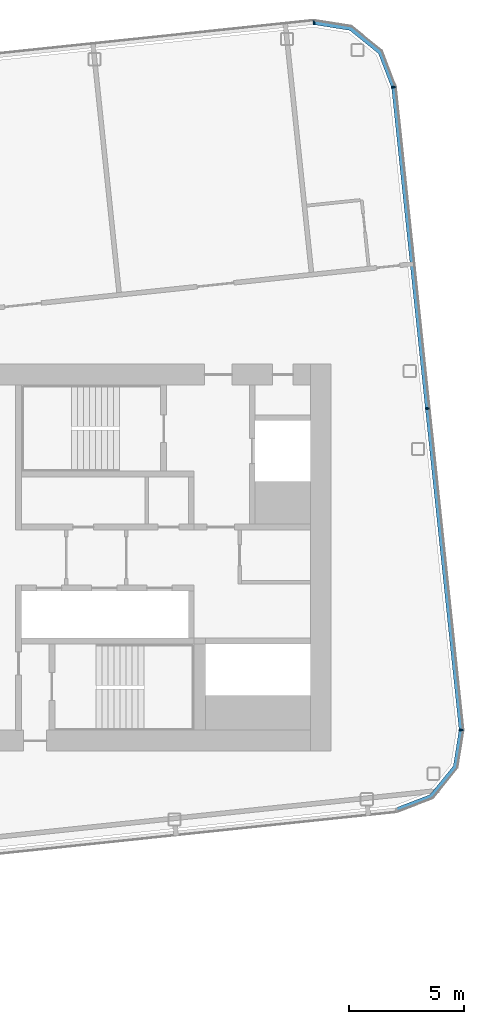
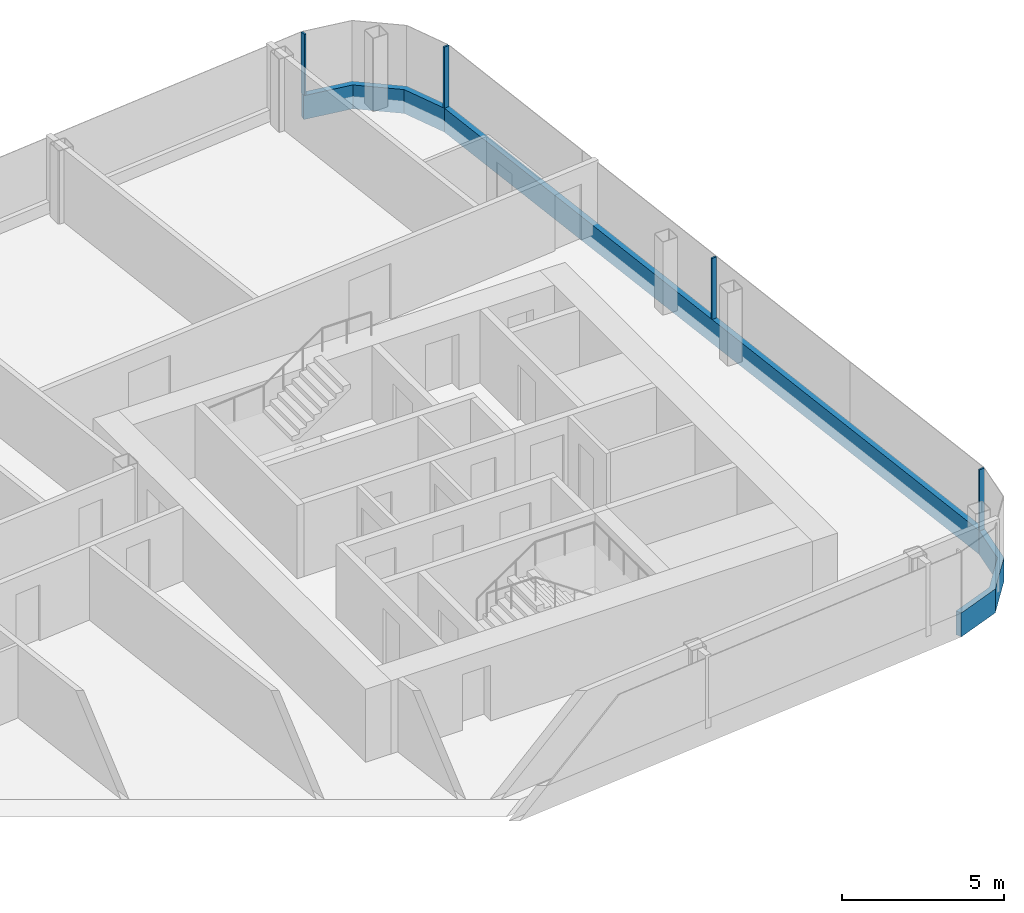
# One storey, part 12 of 27: 7 members, 4 elements without a shape of their own.
"""IFC4 building model written with IfcOpenShell, lengths in metres."""

from ifc_helpers import new_model, si_unit, direction, frame, origin, origin_2d, place, context, subcontext, project, spatial, polyline, rectangle, outline, extrude, material, layer, layer_set, material_profile, profile_set, type_object, element, aggregate, save


model = new_model("IFC4")

# Units and contexts
model_context = context("Model", 3, precision=1e-05, world=origin(), true_north=direction((0.0, 1.0)))
body_context = subcontext(model_context, "Body", "Model", "MODEL_VIEW")
ifc_project = project(units=[si_unit("LENGTHUNIT", "METRE"), si_unit("AREAUNIT", "SQUARE_METRE"), si_unit("VOLUMEUNIT", "CUBIC_METRE"), si_unit("PLANEANGLEUNIT", "RADIAN"), si_unit("MASSUNIT", "GRAM", prefix="KILO")], contexts=[model_context])

# Site, building, storey
site_placement = place(None, origin())
site = spatial("IfcSite", under=ifc_project, at=site_placement, CompositionType="ELEMENT")
building_placement = place(site_placement, origin())
building = spatial("IfcBuilding", under=site, at=building_placement, Name="Hakoniwa Tower and Hamabe Station Hall", CompositionType="ELEMENT")
storey_placement = place(building_placement, frame((0.0, 0.0, 261.39990234375)))
storey = spatial("IfcBuildingStorey", under=building, at=storey_placement, Name="L74", CompositionType="ELEMENT", Elevation=261.39990234375)

# Curtain wall, member
ifc_material_1 = material(Name="Dark low-e laminated glass", Category="glass")
ifc_layer = layer(ifc_material_1, 0.199951171875)
ifc_layer_set = layer_set([ifc_layer], Name="CW-1 UNITISED GUEST")
curtain_wall_type = type_object("IfcCurtainWallType", Name="CW-1 UNITISED GUEST", PredefinedType="NOTDEFINED", material=ifc_layer_set)
curtain_wall_1_placement = place(storey_placement, origin())
curtain_wall_1 = element("IfcCurtainWall", 1, at=curtain_wall_1_placement, inside=storey, type_object=curtain_wall_type, Name="CW-1 curtain wall", PredefinedType="NOTDEFINED")
ifc_material_2 = material(Name="Aluminium 6063-T5 black anodised", Category="aluminium")
ifc_material_profile_1 = material_profile(ifc_material_2, rectangle(XDim=0.199951171875, YDim=0.89990234375, at=origin_2d()), Name="CW SLAB-EDGE BAND 900X200")
ifc_profile_set_1 = profile_set([ifc_material_profile_1], Name="Aluminium 6063-T5 black anodised")
member_type_1 = type_object("IfcMemberType", Name="CW SLAB-EDGE BAND 900X200", PredefinedType="USERDEFINED", material=ifc_profile_set_1)
member_1_placement = place(storey_placement, frame((39.25927734375, -7.490478515625, -0.099853515625), z_axis=(-0.104529086463, 0.994521829868, 0.0), x_axis=(-0.994521829868, -0.104529086463, 0.0)))
member_1 = element("IfcMember", 2, at=member_1_placement, type_object=member_type_1, Name="CW-1 transom", ObjectType="TRANSOM", PredefinedType="USERDEFINED", context=body_context, shape_type="SweptSolid", body=[
    extrude(rectangle(XDim=0.199951171875, YDim=0.89990234375, at=origin_2d()), origin(), (0.0, 0.0, 1.0), 28.078857421875),
])

curtain_wall_2_placement = place(storey_placement, origin())
curtain_wall_2 = element("IfcCurtainWall", 3, at=curtain_wall_2_placement, inside=storey, type_object=curtain_wall_type, Name="CW-1 curtain wall", PredefinedType="NOTDEFINED")
member_2_placement = place(storey_placement, frame((0.0, 0.0, -0.5498046875)))
member_2 = element("IfcMember", 4, at=member_2_placement, type_object=member_type_1, Name="CW-1 transom", ObjectType="TRANSOM", PredefinedType="USERDEFINED", context=body_context, shape_type="SweptSolid", body=[
    extrude(outline(polyline([(36.423828125, 20.445068359375), (35.82421875, 22.0068359375), (34.492431640625, 23.085205078125), (32.84033203125, 23.346923828125), (32.80908203125, 23.1494140625), (34.408203125, 22.89599609375), (35.65673828125, 21.885009765625), (36.237060546875, 20.37353515625), (36.423828125, 20.445068359375)])), origin(), (0.0, 0.0, 1.0), 0.89990234375),
])
aggregate(curtain_wall_2, [member_2])

curtain_wall_3_placement = place(storey_placement, origin())
curtain_wall_3 = element("IfcCurtainWall", 5, at=curtain_wall_3_placement, inside=storey, type_object=curtain_wall_type, Name="CW-1 curtain wall", PredefinedType="NOTDEFINED")
member_3_placement = place(storey_placement, frame((0.0, 0.0, -0.5498046875)))
member_3 = element("IfcMember", 6, at=member_3_placement, type_object=member_type_1, Name="CW-1 transom", ObjectType="TRANSOM", PredefinedType="USERDEFINED", context=body_context, shape_type="SweptSolid", body=[
    extrude(outline(polyline([(36.45703125, -11.0634765625), (38.0185546875, -10.464111328125), (39.09716796875, -9.13232421875), (39.35888671875, -7.47998046875), (39.161376953125, -7.44873046875), (38.907958984375, -9.048095703125), (37.89697265625, -10.296630859375), (36.38525390625, -10.876708984375), (36.45703125, -11.0634765625)])), origin(), (0.0, 0.0, 1.0), 0.89990234375),
])
aggregate(curtain_wall_3, [member_3])

# Member
ifc_material_3 = material(Name="Aluminium 6063-T5 black anodised", Category="aluminium")
ifc_material_profile_2 = material_profile(ifc_material_3, rectangle(XDim=0.06005859375, YDim=0.179931640625, at=origin_2d()), Name="CW-1 MULLION 60X180")
ifc_profile_set_2 = profile_set([ifc_material_profile_2], Name="Aluminium 6063-T5 black anodised")
member_type_2 = type_object("IfcMemberType", Name="CW-1 MULLION 60X180", PredefinedType="MULLION", material=ifc_profile_set_2)
member_4_placement = place(storey_placement, frame((39.241455078125, -7.492431640625, 0.35009765625), z_axis=(0.0, 0.0, 1.0), x_axis=(-0.104528468631, 0.994521894805, 0.0)))
member_4 = element("IfcMember", 7, at=member_4_placement, type_object=member_type_2, Name="CW-1 mullion", PredefinedType="MULLION", context=body_context, shape_type="SweptSolid", body=[
    extrude(rectangle(XDim=0.06005859375, YDim=0.179931640625, at=origin_2d()), origin(), (0.0, 0.0, 1.0), 2.300048828125),
])

member_5_placement = place(storey_placement, frame((37.77392578125, 6.47021484375, 0.35009765625), z_axis=(0.0, 0.0, 1.0), x_axis=(-0.104528468631, 0.994521894805, 0.0)))
member_5 = element("IfcMember", 8, at=member_5_placement, type_object=member_type_2, Name="CW-1 mullion", PredefinedType="MULLION", context=body_context, shape_type="SweptSolid", body=[
    extrude(rectangle(XDim=0.06005859375, YDim=0.179931640625, at=origin_2d()), origin(), (0.0, 0.0, 1.0), 2.300048828125),
])

member_6_placement = place(storey_placement, frame((36.306396484375, 20.432861328125, 0.35009765625), z_axis=(0.0, 0.0, 1.0), x_axis=(-0.104528468631, 0.994521894805, 0.0)))
member_6 = element("IfcMember", 9, at=member_6_placement, type_object=member_type_2, Name="CW-1 mullion", PredefinedType="MULLION", context=body_context, shape_type="SweptSolid", body=[
    extrude(rectangle(XDim=0.06005859375, YDim=0.179931640625, at=origin_2d()), origin(), (0.0, 0.0, 1.0), 2.300048828125),
])

aggregate(curtain_wall_1, [member_4, member_5, member_6, member_1])

# Curtain wall, member
curtain_wall_4_placement = place(storey_placement, origin())
curtain_wall_4 = element("IfcCurtainWall", 10, at=curtain_wall_4_placement, inside=storey, type_object=curtain_wall_type, Name="CW-1 curtain wall", PredefinedType="NOTDEFINED")
member_7_placement = place(storey_placement, frame((32.8525390625, 23.2294921875, 0.35009765625), z_axis=(0.0, 0.0, 1.0), x_axis=(-0.994521895272, -0.104528464188, 0.0)))
member_7 = element("IfcMember", 11, at=member_7_placement, type_object=member_type_2, Name="CW-1 mullion", PredefinedType="MULLION", context=body_context, shape_type="SweptSolid", body=[
    extrude(rectangle(XDim=0.06005859375, YDim=0.179931640625, at=origin_2d()), origin(), (0.0, 0.0, 1.0), 2.300048828125),
])
aggregate(curtain_wall_4, [member_7])

save(model, "model.ifc")
